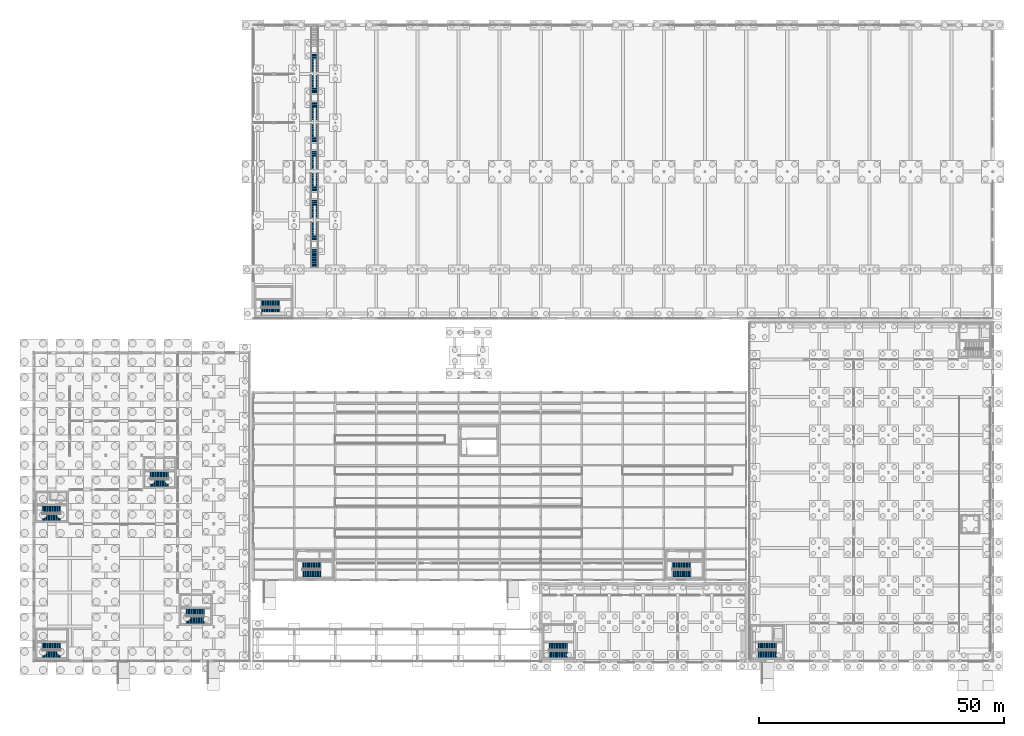
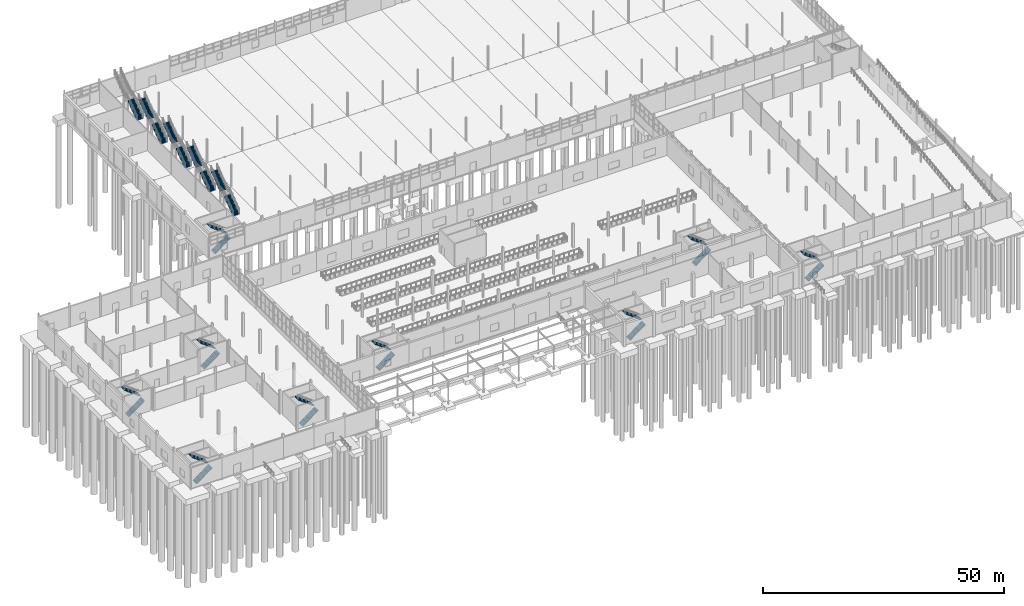
# One storey, part 132 of 139: 27 stair flights, 14 elements without a shape of their own.
"""IFC4 building model written with IfcOpenShell, lengths in metres."""

from ifc_helpers import new_model, si_unit, direction, frame, origin, place, context, subcontext, project, spatial, polyline, outline, extrude, material, layer, layer_set, type_object, element, aggregate, save


model = new_model("IFC4")

# Units and contexts
model_context = context("Model", 3, precision=1e-05, world=origin(), true_north=direction((0.0, 1.0)))
body_context = subcontext(model_context, "Body", "Model", "MODEL_VIEW")
ifc_project = project(units=[si_unit("LENGTHUNIT", "METRE"), si_unit("AREAUNIT", "SQUARE_METRE"), si_unit("VOLUMEUNIT", "CUBIC_METRE"), si_unit("PLANEANGLEUNIT", "RADIAN"), si_unit("MASSUNIT", "GRAM", prefix="KILO")], contexts=[model_context])

# Site, building, storey
site_placement = place(None, origin())
site = spatial("IfcSite", under=ifc_project, at=site_placement, CompositionType="ELEMENT")
building_placement = place(site_placement, origin())
building = spatial("IfcBuilding", under=site, at=building_placement, Name="Kazenagashi Tramway Depot", CompositionType="ELEMENT")
storey_placement = place(building_placement, origin())
storey = spatial("IfcBuildingStorey", under=building, at=storey_placement, Name="L01", CompositionType="ELEMENT", Elevation=0.0)

# Stair, stair flights
ifc_material = material(Name="Concrete Fc36", Category="concrete")
stair_type_1 = type_object("IfcStairType", Name="ST-T2", PredefinedType="USERDEFINED", material=ifc_material)
stair_1_placement = place(storey_placement, origin())
stair_1 = element("IfcStair", 1, at=stair_1_placement, inside=storey, type_object=stair_type_1, Name="Enclosed Escape Stair ST-01", ObjectType="TWO_RETURN_STAIR", PredefinedType="USERDEFINED")
ifc_layer_1 = layer(ifc_material, 0.18)
ifc_layer_set_1 = layer_set([ifc_layer_1], Name="Concrete Fc36")
stair_flight_type_1 = type_object("IfcStairFlightType", Name="SF-F01", PredefinedType="STRAIGHT", material=ifc_layer_set_1)
stair_flight_1_placement = place(storey_placement, frame((1.72, 29.345, 0.0), z_axis=(0.0, 0.0, 1.0), x_axis=(1.0, 0.0, 0.0)))
stair_flight_1 = element("IfcStairFlight", 2, at=stair_flight_1_placement, type_object=stair_flight_type_1, Name="ST-01 flight 1", NumberOfRisers=16, NumberOfTreads=15, PredefinedType="STRAIGHT", RiserHeight=0.1875, TreadLength=0.252, context=body_context, shape_type="SweptSolid", body=[
    extrude(outline(polyline([(0.0, 0.0), (0.0, 0.1875), (0.252, 0.1875), (0.252, 0.375), (0.504, 0.375), (0.504, 0.5625), (0.756, 0.5625), (0.756, 0.75), (1.008, 0.75), (1.008, 0.9375), (1.26, 0.9375), (1.26, 1.125), (1.512, 1.125), (1.512, 1.3125), (1.764, 1.3125), (1.764, 1.5), (2.016, 1.5), (2.016, 1.6875), (2.268, 1.6875), (2.268, 1.875), (2.52, 1.875), (2.52, 2.0625), (2.772, 2.0625), (2.772, 2.25), (3.024, 2.25), (3.024, 2.4375), (3.276, 2.4375), (3.276, 2.625), (3.528, 2.625), (3.528, 2.8125), (3.78, 2.8125), (3.78, 3.0), (3.78, 2.625534), (0.251282, 0.0), (0.0, 0.0)])), frame((0.0, 0.725, 0.0), z_axis=(0.0, -1.0, 0.0), x_axis=(1.0, 0.0, 0.0)), (0.0, 0.0, 1.0), 1.45),
])
stair_flight_2_placement = place(storey_placement, frame((5.46, 30.955, 3.0), z_axis=(0.0, 0.0, 1.0), x_axis=(-1.0, 0.0, 0.0)))
stair_flight_2 = element("IfcStairFlight", 3, at=stair_flight_2_placement, type_object=stair_flight_type_1, Name="ST-01 flight 2", NumberOfRisers=16, NumberOfTreads=15, PredefinedType="STRAIGHT", RiserHeight=0.1875, TreadLength=0.252, context=body_context, shape_type="SweptSolid", body=[
    extrude(outline(polyline([(0.0, 0.0), (0.0, 0.1875), (0.252, 0.1875), (0.252, 0.375), (0.504, 0.375), (0.504, 0.5625), (0.756, 0.5625), (0.756, 0.75), (1.008, 0.75), (1.008, 0.9375), (1.26, 0.9375), (1.26, 1.125), (1.512, 1.125), (1.512, 1.3125), (1.764, 1.3125), (1.764, 1.5), (2.016, 1.5), (2.016, 1.6875), (2.268, 1.6875), (2.268, 1.875), (2.52, 1.875), (2.52, 2.0625), (2.772, 2.0625), (2.772, 2.25), (3.024, 2.25), (3.024, 2.4375), (3.276, 2.4375), (3.276, 2.625), (3.528, 2.625), (3.528, 2.8125), (3.78, 2.8125), (3.78, 3.0), (3.78, 2.625534), (0.251282, 0.0), (0.0, 0.0)])), frame((0.0, 0.725, 0.0), z_axis=(0.0, -1.0, 0.0), x_axis=(1.0, 0.0, 0.0)), (0.0, 0.0, 1.0), 1.45),
])
aggregate(stair_1, [stair_flight_1, stair_flight_2])

stair_2_placement = place(storey_placement, origin())
stair_2 = element("IfcStair", 4, at=stair_2_placement, inside=storey, type_object=stair_type_1, Name="Enclosed Escape Stair ST-09", ObjectType="TWO_RETURN_STAIR", PredefinedType="USERDEFINED")
stair_flight_3_placement = place(storey_placement, frame((31.12, 8.345, 0.0), z_axis=(0.0, 0.0, 1.0), x_axis=(1.0, 0.0, 0.0)))
stair_flight_3 = element("IfcStairFlight", 5, at=stair_flight_3_placement, type_object=stair_flight_type_1, Name="ST-09 flight 1", NumberOfRisers=16, NumberOfTreads=15, PredefinedType="STRAIGHT", RiserHeight=0.1875, TreadLength=0.252, context=body_context, shape_type="SweptSolid", body=[
    extrude(outline(polyline([(0.0, 0.0), (0.0, 0.1875), (0.252, 0.1875), (0.252, 0.375), (0.504, 0.375), (0.504, 0.5625), (0.756, 0.5625), (0.756, 0.75), (1.008, 0.75), (1.008, 0.9375), (1.26, 0.9375), (1.26, 1.125), (1.512, 1.125), (1.512, 1.3125), (1.764, 1.3125), (1.764, 1.5), (2.016, 1.5), (2.016, 1.6875), (2.268, 1.6875), (2.268, 1.875), (2.52, 1.875), (2.52, 2.0625), (2.772, 2.0625), (2.772, 2.25), (3.024, 2.25), (3.024, 2.4375), (3.276, 2.4375), (3.276, 2.625), (3.528, 2.625), (3.528, 2.8125), (3.78, 2.8125), (3.78, 3.0), (3.78, 2.625534), (0.251282, 0.0), (0.0, 0.0)])), frame((0.0, 0.725, 0.0), z_axis=(0.0, -1.0, 0.0), x_axis=(1.0, 0.0, 0.0)), (0.0, 0.0, 1.0), 1.45),
])
stair_flight_4_placement = place(storey_placement, frame((34.86, 9.955, 3.0), z_axis=(0.0, 0.0, 1.0), x_axis=(-1.0, 0.0, 0.0)))
stair_flight_4 = element("IfcStairFlight", 6, at=stair_flight_4_placement, type_object=stair_flight_type_1, Name="ST-09 flight 2", NumberOfRisers=16, NumberOfTreads=15, PredefinedType="STRAIGHT", RiserHeight=0.1875, TreadLength=0.252, context=body_context, shape_type="SweptSolid", body=[
    extrude(outline(polyline([(0.0, 0.0), (0.0, 0.1875), (0.252, 0.1875), (0.252, 0.375), (0.504, 0.375), (0.504, 0.5625), (0.756, 0.5625), (0.756, 0.75), (1.008, 0.75), (1.008, 0.9375), (1.26, 0.9375), (1.26, 1.125), (1.512, 1.125), (1.512, 1.3125), (1.764, 1.3125), (1.764, 1.5), (2.016, 1.5), (2.016, 1.6875), (2.268, 1.6875), (2.268, 1.875), (2.52, 1.875), (2.52, 2.0625), (2.772, 2.0625), (2.772, 2.25), (3.024, 2.25), (3.024, 2.4375), (3.276, 2.4375), (3.276, 2.625), (3.528, 2.625), (3.528, 2.8125), (3.78, 2.8125), (3.78, 3.0), (3.78, 2.625534), (0.251282, 0.0), (0.0, 0.0)])), frame((0.0, 0.725, 0.0), z_axis=(0.0, -1.0, 0.0), x_axis=(1.0, 0.0, 0.0)), (0.0, 0.0, 1.0), 1.45),
])
aggregate(stair_2, [stair_flight_3, stair_flight_4])

stair_3_placement = place(storey_placement, origin())
stair_3 = element("IfcStair", 7, at=stair_3_placement, inside=storey, type_object=stair_type_1, Name="Enclosed Escape Stair ST-17", ObjectType="TWO_RETURN_STAIR", PredefinedType="USERDEFINED")
stair_flight_5_placement = place(storey_placement, frame((54.92, 17.845, 0.0), z_axis=(0.0, 0.0, 1.0), x_axis=(1.0, 0.0, 0.0)))
stair_flight_5 = element("IfcStairFlight", 8, at=stair_flight_5_placement, type_object=stair_flight_type_1, Name="ST-17 flight 1", NumberOfRisers=16, NumberOfTreads=15, PredefinedType="STRAIGHT", RiserHeight=0.1875, TreadLength=0.252, context=body_context, shape_type="SweptSolid", body=[
    extrude(outline(polyline([(0.0, 0.0), (0.0, 0.1875), (0.252, 0.1875), (0.252, 0.375), (0.504, 0.375), (0.504, 0.5625), (0.756, 0.5625), (0.756, 0.75), (1.008, 0.75), (1.008, 0.9375), (1.26, 0.9375), (1.26, 1.125), (1.512, 1.125), (1.512, 1.3125), (1.764, 1.3125), (1.764, 1.5), (2.016, 1.5), (2.016, 1.6875), (2.268, 1.6875), (2.268, 1.875), (2.52, 1.875), (2.52, 2.0625), (2.772, 2.0625), (2.772, 2.25), (3.024, 2.25), (3.024, 2.4375), (3.276, 2.4375), (3.276, 2.625), (3.528, 2.625), (3.528, 2.8125), (3.78, 2.8125), (3.78, 3.0), (3.78, 2.625534), (0.251282, 0.0), (0.0, 0.0)])), frame((0.0, 0.725, 0.0), z_axis=(0.0, -1.0, 0.0), x_axis=(1.0, 0.0, 0.0)), (0.0, 0.0, 1.0), 1.45),
])
stair_flight_6_placement = place(storey_placement, frame((58.66, 19.455, 3.0), z_axis=(0.0, 0.0, 1.0), x_axis=(-1.0, 0.0, 0.0)))
stair_flight_6 = element("IfcStairFlight", 9, at=stair_flight_6_placement, type_object=stair_flight_type_1, Name="ST-17 flight 2", NumberOfRisers=16, NumberOfTreads=15, PredefinedType="STRAIGHT", RiserHeight=0.1875, TreadLength=0.252, context=body_context, shape_type="SweptSolid", body=[
    extrude(outline(polyline([(0.0, 0.0), (0.0, 0.1875), (0.252, 0.1875), (0.252, 0.375), (0.504, 0.375), (0.504, 0.5625), (0.756, 0.5625), (0.756, 0.75), (1.008, 0.75), (1.008, 0.9375), (1.26, 0.9375), (1.26, 1.125), (1.512, 1.125), (1.512, 1.3125), (1.764, 1.3125), (1.764, 1.5), (2.016, 1.5), (2.016, 1.6875), (2.268, 1.6875), (2.268, 1.875), (2.52, 1.875), (2.52, 2.0625), (2.772, 2.0625), (2.772, 2.25), (3.024, 2.25), (3.024, 2.4375), (3.276, 2.4375), (3.276, 2.625), (3.528, 2.625), (3.528, 2.8125), (3.78, 2.8125), (3.78, 3.0), (3.78, 2.625534), (0.251282, 0.0), (0.0, 0.0)])), frame((0.0, 0.725, 0.0), z_axis=(0.0, -1.0, 0.0), x_axis=(1.0, 0.0, 0.0)), (0.0, 0.0, 1.0), 1.45),
])
aggregate(stair_3, [stair_flight_5, stair_flight_6])

stair_4_placement = place(storey_placement, origin())
stair_4 = element("IfcStair", 10, at=stair_4_placement, inside=storey, type_object=stair_type_1, Name="Enclosed Escape Stair ST-28", ObjectType="TWO_RETURN_STAIR", PredefinedType="USERDEFINED")
stair_flight_7_placement = place(storey_placement, frame((105.32, 1.345, 0.0), z_axis=(0.0, 0.0, 1.0), x_axis=(1.0, 0.0, 0.0)))
stair_flight_7 = element("IfcStairFlight", 11, at=stair_flight_7_placement, type_object=stair_flight_type_1, Name="ST-28 flight 1", NumberOfRisers=16, NumberOfTreads=15, PredefinedType="STRAIGHT", RiserHeight=0.1875, TreadLength=0.252, context=body_context, shape_type="SweptSolid", body=[
    extrude(outline(polyline([(0.0, 0.0), (0.0, 0.1875), (0.252, 0.1875), (0.252, 0.375), (0.504, 0.375), (0.504, 0.5625), (0.756, 0.5625), (0.756, 0.75), (1.008, 0.75), (1.008, 0.9375), (1.26, 0.9375), (1.26, 1.125), (1.512, 1.125), (1.512, 1.3125), (1.764, 1.3125), (1.764, 1.5), (2.016, 1.5), (2.016, 1.6875), (2.268, 1.6875), (2.268, 1.875), (2.52, 1.875), (2.52, 2.0625), (2.772, 2.0625), (2.772, 2.25), (3.024, 2.25), (3.024, 2.4375), (3.276, 2.4375), (3.276, 2.625), (3.528, 2.625), (3.528, 2.8125), (3.78, 2.8125), (3.78, 3.0), (3.78, 2.625534), (0.251282, 0.0), (0.0, 0.0)])), frame((0.0, 0.725, 0.0), z_axis=(0.0, -1.0, 0.0), x_axis=(1.0, 0.0, 0.0)), (0.0, 0.0, 1.0), 1.45),
])
stair_flight_8_placement = place(storey_placement, frame((109.06, 2.955, 3.0), z_axis=(0.0, 0.0, 1.0), x_axis=(-1.0, 0.0, 0.0)))
stair_flight_8 = element("IfcStairFlight", 12, at=stair_flight_8_placement, type_object=stair_flight_type_1, Name="ST-28 flight 2", NumberOfRisers=16, NumberOfTreads=15, PredefinedType="STRAIGHT", RiserHeight=0.1875, TreadLength=0.252, context=body_context, shape_type="SweptSolid", body=[
    extrude(outline(polyline([(0.0, 0.0), (0.0, 0.1875), (0.252, 0.1875), (0.252, 0.375), (0.504, 0.375), (0.504, 0.5625), (0.756, 0.5625), (0.756, 0.75), (1.008, 0.75), (1.008, 0.9375), (1.26, 0.9375), (1.26, 1.125), (1.512, 1.125), (1.512, 1.3125), (1.764, 1.3125), (1.764, 1.5), (2.016, 1.5), (2.016, 1.6875), (2.268, 1.6875), (2.268, 1.875), (2.52, 1.875), (2.52, 2.0625), (2.772, 2.0625), (2.772, 2.25), (3.024, 2.25), (3.024, 2.4375), (3.276, 2.4375), (3.276, 2.625), (3.528, 2.625), (3.528, 2.8125), (3.78, 2.8125), (3.78, 3.0), (3.78, 2.625534), (0.251282, 0.0), (0.0, 0.0)])), frame((0.0, 0.725, 0.0), z_axis=(0.0, -1.0, 0.0), x_axis=(1.0, 0.0, 0.0)), (0.0, 0.0, 1.0), 1.45),
])
aggregate(stair_4, [stair_flight_7, stair_flight_8])

stair_type_2 = type_object("IfcStairType", Name="ST-T5", PredefinedType="USERDEFINED", material=ifc_material)
stair_5_placement = place(storey_placement, origin())
stair_5 = element("IfcStair", 13, at=stair_5_placement, inside=storey, type_object=stair_type_2, Name="Enclosed Escape Stair ST-05", ObjectType="TWO_RETURN_STAIR", PredefinedType="USERDEFINED")
ifc_layer_2 = layer(ifc_material, 0.18)
ifc_layer_set_2 = layer_set([ifc_layer_2], Name="Concrete Fc36")
stair_flight_type_2 = type_object("IfcStairFlightType", Name="SF-F02", PredefinedType="STRAIGHT", material=ifc_layer_set_2)
stair_flight_9_placement = place(storey_placement, frame((23.77, 36.37, 0.0), z_axis=(0.0, 0.0, 1.0), x_axis=(1.0, 0.0, 0.0)))
stair_flight_9 = element("IfcStairFlight", 14, at=stair_flight_9_placement, type_object=stair_flight_type_2, Name="ST-05 flight 1", NumberOfRisers=16, NumberOfTreads=15, PredefinedType="STRAIGHT", RiserHeight=0.1875, TreadLength=0.252, context=body_context, shape_type="SweptSolid", body=[
    extrude(outline(polyline([(0.0, 0.0), (0.0, 0.1875), (0.252, 0.1875), (0.252, 0.375), (0.504, 0.375), (0.504, 0.5625), (0.756, 0.5625), (0.756, 0.75), (1.008, 0.75), (1.008, 0.9375), (1.26, 0.9375), (1.26, 1.125), (1.512, 1.125), (1.512, 1.3125), (1.764, 1.3125), (1.764, 1.5), (2.016, 1.5), (2.016, 1.6875), (2.268, 1.6875), (2.268, 1.875), (2.52, 1.875), (2.52, 2.0625), (2.772, 2.0625), (2.772, 2.25), (3.024, 2.25), (3.024, 2.4375), (3.276, 2.4375), (3.276, 2.625), (3.528, 2.625), (3.528, 2.8125), (3.78, 2.8125), (3.78, 3.0), (3.78, 2.625534), (0.251282, 0.0), (0.0, 0.0)])), frame((0.0, 0.75, 0.0), z_axis=(0.0, -1.0, 0.0), x_axis=(1.0, 0.0, 0.0)), (0.0, 0.0, 1.0), 1.5),
])
stair_flight_10_placement = place(storey_placement, frame((27.51, 38.03, 3.0), z_axis=(0.0, 0.0, 1.0), x_axis=(-1.0, 0.0, 0.0)))
stair_flight_10 = element("IfcStairFlight", 15, at=stair_flight_10_placement, type_object=stair_flight_type_2, Name="ST-05 flight 2", NumberOfRisers=16, NumberOfTreads=15, PredefinedType="STRAIGHT", RiserHeight=0.1875, TreadLength=0.252, context=body_context, shape_type="SweptSolid", body=[
    extrude(outline(polyline([(0.0, 0.0), (0.0, 0.1875), (0.252, 0.1875), (0.252, 0.375), (0.504, 0.375), (0.504, 0.5625), (0.756, 0.5625), (0.756, 0.75), (1.008, 0.75), (1.008, 0.9375), (1.26, 0.9375), (1.26, 1.125), (1.512, 1.125), (1.512, 1.3125), (1.764, 1.3125), (1.764, 1.5), (2.016, 1.5), (2.016, 1.6875), (2.268, 1.6875), (2.268, 1.875), (2.52, 1.875), (2.52, 2.0625), (2.772, 2.0625), (2.772, 2.25), (3.024, 2.25), (3.024, 2.4375), (3.276, 2.4375), (3.276, 2.625), (3.528, 2.625), (3.528, 2.8125), (3.78, 2.8125), (3.78, 3.0), (3.78, 2.625534), (0.251282, 0.0), (0.0, 0.0)])), frame((0.0, 0.75, 0.0), z_axis=(0.0, -1.0, 0.0), x_axis=(1.0, 0.0, 0.0)), (0.0, 0.0, 1.0), 1.5),
])
aggregate(stair_5, [stair_flight_9, stair_flight_10])

stair_6_placement = place(storey_placement, origin())
stair_6 = element("IfcStair", 16, at=stair_6_placement, inside=storey, type_object=stair_type_2, Name="Enclosed Escape Stair ST-12", ObjectType="TWO_RETURN_STAIR", PredefinedType="USERDEFINED")
stair_flight_11_placement = place(storey_placement, frame((1.72, 1.37, 0.0), z_axis=(0.0, 0.0, 1.0), x_axis=(1.0, 0.0, 0.0)))
stair_flight_11 = element("IfcStairFlight", 17, at=stair_flight_11_placement, type_object=stair_flight_type_2, Name="ST-12 flight 1", NumberOfRisers=16, NumberOfTreads=15, PredefinedType="STRAIGHT", RiserHeight=0.1875, TreadLength=0.252, context=body_context, shape_type="SweptSolid", body=[
    extrude(outline(polyline([(0.0, 0.0), (0.0, 0.1875), (0.252, 0.1875), (0.252, 0.375), (0.504, 0.375), (0.504, 0.5625), (0.756, 0.5625), (0.756, 0.75), (1.008, 0.75), (1.008, 0.9375), (1.26, 0.9375), (1.26, 1.125), (1.512, 1.125), (1.512, 1.3125), (1.764, 1.3125), (1.764, 1.5), (2.016, 1.5), (2.016, 1.6875), (2.268, 1.6875), (2.268, 1.875), (2.52, 1.875), (2.52, 2.0625), (2.772, 2.0625), (2.772, 2.25), (3.024, 2.25), (3.024, 2.4375), (3.276, 2.4375), (3.276, 2.625), (3.528, 2.625), (3.528, 2.8125), (3.78, 2.8125), (3.78, 3.0), (3.78, 2.625534), (0.251282, 0.0), (0.0, 0.0)])), frame((0.0, 0.75, 0.0), z_axis=(0.0, -1.0, 0.0), x_axis=(1.0, 0.0, 0.0)), (0.0, 0.0, 1.0), 1.5),
])
stair_flight_12_placement = place(storey_placement, frame((5.46, 3.03, 3.0), z_axis=(0.0, 0.0, 1.0), x_axis=(-1.0, 0.0, 0.0)))
stair_flight_12 = element("IfcStairFlight", 18, at=stair_flight_12_placement, type_object=stair_flight_type_2, Name="ST-12 flight 2", NumberOfRisers=16, NumberOfTreads=15, PredefinedType="STRAIGHT", RiserHeight=0.1875, TreadLength=0.252, context=body_context, shape_type="SweptSolid", body=[
    extrude(outline(polyline([(0.0, 0.0), (0.0, 0.1875), (0.252, 0.1875), (0.252, 0.375), (0.504, 0.375), (0.504, 0.5625), (0.756, 0.5625), (0.756, 0.75), (1.008, 0.75), (1.008, 0.9375), (1.26, 0.9375), (1.26, 1.125), (1.512, 1.125), (1.512, 1.3125), (1.764, 1.3125), (1.764, 1.5), (2.016, 1.5), (2.016, 1.6875), (2.268, 1.6875), (2.268, 1.875), (2.52, 1.875), (2.52, 2.0625), (2.772, 2.0625), (2.772, 2.25), (3.024, 2.25), (3.024, 2.4375), (3.276, 2.4375), (3.276, 2.625), (3.528, 2.625), (3.528, 2.8125), (3.78, 2.8125), (3.78, 3.0), (3.78, 2.625534), (0.251282, 0.0), (0.0, 0.0)])), frame((0.0, 0.75, 0.0), z_axis=(0.0, -1.0, 0.0), x_axis=(1.0, 0.0, 0.0)), (0.0, 0.0, 1.0), 1.5),
])
aggregate(stair_6, [stair_flight_11, stair_flight_12])

stair_7_placement = place(storey_placement, origin())
stair_7 = element("IfcStair", 19, at=stair_7_placement, inside=storey, type_object=stair_type_2, Name="Enclosed Escape Stair ST-20", ObjectType="TWO_RETURN_STAIR", PredefinedType="USERDEFINED")
stair_flight_13_placement = place(storey_placement, frame((130.52, 17.87, 0.0), z_axis=(0.0, 0.0, 1.0), x_axis=(1.0, 0.0, 0.0)))
stair_flight_13 = element("IfcStairFlight", 20, at=stair_flight_13_placement, type_object=stair_flight_type_2, Name="ST-20 flight 1", NumberOfRisers=16, NumberOfTreads=15, PredefinedType="STRAIGHT", RiserHeight=0.1875, TreadLength=0.252, context=body_context, shape_type="SweptSolid", body=[
    extrude(outline(polyline([(0.0, 0.0), (0.0, 0.1875), (0.252, 0.1875), (0.252, 0.375), (0.504, 0.375), (0.504, 0.5625), (0.756, 0.5625), (0.756, 0.75), (1.008, 0.75), (1.008, 0.9375), (1.26, 0.9375), (1.26, 1.125), (1.512, 1.125), (1.512, 1.3125), (1.764, 1.3125), (1.764, 1.5), (2.016, 1.5), (2.016, 1.6875), (2.268, 1.6875), (2.268, 1.875), (2.52, 1.875), (2.52, 2.0625), (2.772, 2.0625), (2.772, 2.25), (3.024, 2.25), (3.024, 2.4375), (3.276, 2.4375), (3.276, 2.625), (3.528, 2.625), (3.528, 2.8125), (3.78, 2.8125), (3.78, 3.0), (3.78, 2.625534), (0.251282, 0.0), (0.0, 0.0)])), frame((0.0, 0.75, 0.0), z_axis=(0.0, -1.0, 0.0), x_axis=(1.0, 0.0, 0.0)), (0.0, 0.0, 1.0), 1.5),
])
stair_flight_14_placement = place(storey_placement, frame((134.26, 19.53, 3.0), z_axis=(0.0, 0.0, 1.0), x_axis=(-1.0, 0.0, 0.0)))
stair_flight_14 = element("IfcStairFlight", 21, at=stair_flight_14_placement, type_object=stair_flight_type_2, Name="ST-20 flight 2", NumberOfRisers=16, NumberOfTreads=15, PredefinedType="STRAIGHT", RiserHeight=0.1875, TreadLength=0.252, context=body_context, shape_type="SweptSolid", body=[
    extrude(outline(polyline([(0.0, 0.0), (0.0, 0.1875), (0.252, 0.1875), (0.252, 0.375), (0.504, 0.375), (0.504, 0.5625), (0.756, 0.5625), (0.756, 0.75), (1.008, 0.75), (1.008, 0.9375), (1.26, 0.9375), (1.26, 1.125), (1.512, 1.125), (1.512, 1.3125), (1.764, 1.3125), (1.764, 1.5), (2.016, 1.5), (2.016, 1.6875), (2.268, 1.6875), (2.268, 1.875), (2.52, 1.875), (2.52, 2.0625), (2.772, 2.0625), (2.772, 2.25), (3.024, 2.25), (3.024, 2.4375), (3.276, 2.4375), (3.276, 2.625), (3.528, 2.625), (3.528, 2.8125), (3.78, 2.8125), (3.78, 3.0), (3.78, 2.625534), (0.251282, 0.0), (0.0, 0.0)])), frame((0.0, 0.75, 0.0), z_axis=(0.0, -1.0, 0.0), x_axis=(1.0, 0.0, 0.0)), (0.0, 0.0, 1.0), 1.5),
])
aggregate(stair_7, [stair_flight_13, stair_flight_14])

stair_8_placement = place(storey_placement, origin())
stair_8 = element("IfcStair", 22, at=stair_8_placement, inside=storey, type_object=stair_type_2, Name="Enclosed Escape Stair ST-23", ObjectType="TWO_RETURN_STAIR", PredefinedType="USERDEFINED")
stair_flight_15_placement = place(storey_placement, frame((148.02, 1.37, 0.0), z_axis=(0.0, 0.0, 1.0), x_axis=(1.0, 0.0, 0.0)))
stair_flight_15 = element("IfcStairFlight", 23, at=stair_flight_15_placement, type_object=stair_flight_type_2, Name="ST-23 flight 1", NumberOfRisers=16, NumberOfTreads=15, PredefinedType="STRAIGHT", RiserHeight=0.1875, TreadLength=0.252, context=body_context, shape_type="SweptSolid", body=[
    extrude(outline(polyline([(0.0, 0.0), (0.0, 0.1875), (0.252, 0.1875), (0.252, 0.375), (0.504, 0.375), (0.504, 0.5625), (0.756, 0.5625), (0.756, 0.75), (1.008, 0.75), (1.008, 0.9375), (1.26, 0.9375), (1.26, 1.125), (1.512, 1.125), (1.512, 1.3125), (1.764, 1.3125), (1.764, 1.5), (2.016, 1.5), (2.016, 1.6875), (2.268, 1.6875), (2.268, 1.875), (2.52, 1.875), (2.52, 2.0625), (2.772, 2.0625), (2.772, 2.25), (3.024, 2.25), (3.024, 2.4375), (3.276, 2.4375), (3.276, 2.625), (3.528, 2.625), (3.528, 2.8125), (3.78, 2.8125), (3.78, 3.0), (3.78, 2.625534), (0.251282, 0.0), (0.0, 0.0)])), frame((0.0, 0.75, 0.0), z_axis=(0.0, -1.0, 0.0), x_axis=(1.0, 0.0, 0.0)), (0.0, 0.0, 1.0), 1.5),
])
stair_flight_16_placement = place(storey_placement, frame((151.76, 3.03, 3.0), z_axis=(0.0, 0.0, 1.0), x_axis=(-1.0, 0.0, 0.0)))
stair_flight_16 = element("IfcStairFlight", 24, at=stair_flight_16_placement, type_object=stair_flight_type_2, Name="ST-23 flight 2", NumberOfRisers=16, NumberOfTreads=15, PredefinedType="STRAIGHT", RiserHeight=0.1875, TreadLength=0.252, context=body_context, shape_type="SweptSolid", body=[
    extrude(outline(polyline([(0.0, 0.0), (0.0, 0.1875), (0.252, 0.1875), (0.252, 0.375), (0.504, 0.375), (0.504, 0.5625), (0.756, 0.5625), (0.756, 0.75), (1.008, 0.75), (1.008, 0.9375), (1.26, 0.9375), (1.26, 1.125), (1.512, 1.125), (1.512, 1.3125), (1.764, 1.3125), (1.764, 1.5), (2.016, 1.5), (2.016, 1.6875), (2.268, 1.6875), (2.268, 1.875), (2.52, 1.875), (2.52, 2.0625), (2.772, 2.0625), (2.772, 2.25), (3.024, 2.25), (3.024, 2.4375), (3.276, 2.4375), (3.276, 2.625), (3.528, 2.625), (3.528, 2.8125), (3.78, 2.8125), (3.78, 3.0), (3.78, 2.625534), (0.251282, 0.0), (0.0, 0.0)])), frame((0.0, 0.75, 0.0), z_axis=(0.0, -1.0, 0.0), x_axis=(1.0, 0.0, 0.0)), (0.0, 0.0, 1.0), 1.5),
])
aggregate(stair_8, [stair_flight_15, stair_flight_16])

stair_9_placement = place(storey_placement, origin())
stair_9 = element("IfcStair", 25, at=stair_9_placement, inside=storey, type_object=stair_type_2, Name="Enclosed Escape Stair ST-27", ObjectType="TWO_RETURN_STAIR", PredefinedType="USERDEFINED")
stair_flight_17_placement = place(storey_placement, frame((46.52, 71.37, 0.0), z_axis=(0.0, 0.0, 1.0), x_axis=(1.0, 0.0, 0.0)))
stair_flight_17 = element("IfcStairFlight", 26, at=stair_flight_17_placement, type_object=stair_flight_type_2, Name="ST-27 flight 1", NumberOfRisers=16, NumberOfTreads=15, PredefinedType="STRAIGHT", RiserHeight=0.1875, TreadLength=0.252, context=body_context, shape_type="SweptSolid", body=[
    extrude(outline(polyline([(0.0, 0.0), (0.0, 0.1875), (0.252, 0.1875), (0.252, 0.375), (0.504, 0.375), (0.504, 0.5625), (0.756, 0.5625), (0.756, 0.75), (1.008, 0.75), (1.008, 0.9375), (1.26, 0.9375), (1.26, 1.125), (1.512, 1.125), (1.512, 1.3125), (1.764, 1.3125), (1.764, 1.5), (2.016, 1.5), (2.016, 1.6875), (2.268, 1.6875), (2.268, 1.875), (2.52, 1.875), (2.52, 2.0625), (2.772, 2.0625), (2.772, 2.25), (3.024, 2.25), (3.024, 2.4375), (3.276, 2.4375), (3.276, 2.625), (3.528, 2.625), (3.528, 2.8125), (3.78, 2.8125), (3.78, 3.0), (3.78, 2.625534), (0.251282, 0.0), (0.0, 0.0)])), frame((0.0, 0.75, 0.0), z_axis=(0.0, -1.0, 0.0), x_axis=(1.0, 0.0, 0.0)), (0.0, 0.0, 1.0), 1.5),
])
stair_flight_18_placement = place(storey_placement, frame((50.26, 73.03, 3.0), z_axis=(0.0, 0.0, 1.0), x_axis=(-1.0, 0.0, 0.0)))
stair_flight_18 = element("IfcStairFlight", 27, at=stair_flight_18_placement, type_object=stair_flight_type_2, Name="ST-27 flight 2", NumberOfRisers=16, NumberOfTreads=15, PredefinedType="STRAIGHT", RiserHeight=0.1875, TreadLength=0.252, context=body_context, shape_type="SweptSolid", body=[
    extrude(outline(polyline([(0.0, 0.0), (0.0, 0.1875), (0.252, 0.1875), (0.252, 0.375), (0.504, 0.375), (0.504, 0.5625), (0.756, 0.5625), (0.756, 0.75), (1.008, 0.75), (1.008, 0.9375), (1.26, 0.9375), (1.26, 1.125), (1.512, 1.125), (1.512, 1.3125), (1.764, 1.3125), (1.764, 1.5), (2.016, 1.5), (2.016, 1.6875), (2.268, 1.6875), (2.268, 1.875), (2.52, 1.875), (2.52, 2.0625), (2.772, 2.0625), (2.772, 2.25), (3.024, 2.25), (3.024, 2.4375), (3.276, 2.4375), (3.276, 2.625), (3.528, 2.625), (3.528, 2.8125), (3.78, 2.8125), (3.78, 3.0), (3.78, 2.625534), (0.251282, 0.0), (0.0, 0.0)])), frame((0.0, 0.75, 0.0), z_axis=(0.0, -1.0, 0.0), x_axis=(1.0, 0.0, 0.0)), (0.0, 0.0, 1.0), 1.5),
])
aggregate(stair_9, [stair_flight_17, stair_flight_18])

stair_type_3 = type_object("IfcStairType", Name="ST-S1", PredefinedType="STRAIGHT_RUN_STAIR", material=ifc_material)
stair_10_placement = place(storey_placement, origin())
stair_10 = element("IfcStair", 28, at=stair_10_placement, inside=storey, type_object=stair_type_3, Name="Straight Run Stair ST-29", PredefinedType="STRAIGHT_RUN_STAIR")
stair_flight_19_placement = place(storey_placement, frame((57.4, 80.55, 0.0), z_axis=(0.0, 0.0, 1.0), x_axis=(0.0, 1.0, 0.0)))
stair_flight_19 = element("IfcStairFlight", 29, at=stair_flight_19_placement, type_object=stair_flight_type_2, Name="ST-29 flight 1", NumberOfRisers=16, NumberOfTreads=15, PredefinedType="STRAIGHT", RiserHeight=0.1875, TreadLength=0.252, context=body_context, shape_type="SweptSolid", body=[
    extrude(outline(polyline([(0.0, 0.0), (0.0, 0.1875), (0.252, 0.1875), (0.252, 0.375), (0.504, 0.375), (0.504, 0.5625), (0.756, 0.5625), (0.756, 0.75), (1.008, 0.75), (1.008, 0.9375), (1.26, 0.9375), (1.26, 1.125), (1.512, 1.125), (1.512, 1.3125), (1.764, 1.3125), (1.764, 1.5), (2.016, 1.5), (2.016, 1.6875), (2.268, 1.6875), (2.268, 1.875), (2.52, 1.875), (2.52, 2.0625), (2.772, 2.0625), (2.772, 2.25), (3.024, 2.25), (3.024, 2.4375), (3.276, 2.4375), (3.276, 2.625), (3.528, 2.625), (3.528, 2.8125), (3.78, 2.8125), (3.78, 3.0), (3.78, 2.625534), (0.251282, 0.0), (0.0, 0.0)])), frame((0.0, 0.75, 0.0), z_axis=(0.0, -1.0, 0.0), x_axis=(1.0, 0.0, 0.0)), (0.0, 0.0, 1.0), 1.5),
])
stair_flight_20_placement = place(storey_placement, frame((57.4, 85.88, 3.0), z_axis=(0.0, 0.0, 1.0), x_axis=(0.0, 1.0, 0.0)))
stair_flight_20 = element("IfcStairFlight", 30, at=stair_flight_20_placement, type_object=stair_flight_type_2, Name="ST-29 flight 2", NumberOfRisers=16, NumberOfTreads=15, PredefinedType="STRAIGHT", RiserHeight=0.1875, TreadLength=0.252, context=body_context, shape_type="SweptSolid", body=[
    extrude(outline(polyline([(0.0, 0.0), (0.0, 0.1875), (0.252, 0.1875), (0.252, 0.375), (0.504, 0.375), (0.504, 0.5625), (0.756, 0.5625), (0.756, 0.75), (1.008, 0.75), (1.008, 0.9375), (1.26, 0.9375), (1.26, 1.125), (1.512, 1.125), (1.512, 1.3125), (1.764, 1.3125), (1.764, 1.5), (2.016, 1.5), (2.016, 1.6875), (2.268, 1.6875), (2.268, 1.875), (2.52, 1.875), (2.52, 2.0625), (2.772, 2.0625), (2.772, 2.25), (3.024, 2.25), (3.024, 2.4375), (3.276, 2.4375), (3.276, 2.625), (3.528, 2.625), (3.528, 2.8125), (3.78, 2.8125), (3.78, 3.0), (3.78, 2.625534), (0.251282, 0.0), (0.0, 0.0)])), frame((0.0, 0.75, 0.0), z_axis=(0.0, -1.0, 0.0), x_axis=(1.0, 0.0, 0.0)), (0.0, 0.0, 1.0), 1.5),
])
aggregate(stair_10, [stair_flight_19, stair_flight_20])

stair_11_placement = place(storey_placement, origin())
stair_11 = element("IfcStair", 31, at=stair_11_placement, inside=storey, type_object=stair_type_3, Name="Straight Run Stair ST-31", PredefinedType="STRAIGHT_RUN_STAIR")
stair_flight_21_placement = place(storey_placement, frame((57.4, 100.55, 0.0), z_axis=(0.0, 0.0, 1.0), x_axis=(0.0, 1.0, 0.0)))
stair_flight_21 = element("IfcStairFlight", 32, at=stair_flight_21_placement, type_object=stair_flight_type_2, Name="ST-31 flight 1", NumberOfRisers=16, NumberOfTreads=15, PredefinedType="STRAIGHT", RiserHeight=0.1875, TreadLength=0.252, context=body_context, shape_type="SweptSolid", body=[
    extrude(outline(polyline([(0.0, 0.0), (0.0, 0.1875), (0.252, 0.1875), (0.252, 0.375), (0.504, 0.375), (0.504, 0.5625), (0.756, 0.5625), (0.756, 0.75), (1.008, 0.75), (1.008, 0.9375), (1.26, 0.9375), (1.26, 1.125), (1.512, 1.125), (1.512, 1.3125), (1.764, 1.3125), (1.764, 1.5), (2.016, 1.5), (2.016, 1.6875), (2.268, 1.6875), (2.268, 1.875), (2.52, 1.875), (2.52, 2.0625), (2.772, 2.0625), (2.772, 2.25), (3.024, 2.25), (3.024, 2.4375), (3.276, 2.4375), (3.276, 2.625), (3.528, 2.625), (3.528, 2.8125), (3.78, 2.8125), (3.78, 3.0), (3.78, 2.625534), (0.251282, 0.0), (0.0, 0.0)])), frame((0.0, 0.75, 0.0), z_axis=(0.0, -1.0, 0.0), x_axis=(1.0, 0.0, 0.0)), (0.0, 0.0, 1.0), 1.5),
])
stair_flight_22_placement = place(storey_placement, frame((57.4, 105.88, 3.0), z_axis=(0.0, 0.0, 1.0), x_axis=(0.0, 1.0, 0.0)))
stair_flight_22 = element("IfcStairFlight", 33, at=stair_flight_22_placement, type_object=stair_flight_type_2, Name="ST-31 flight 2", NumberOfRisers=16, NumberOfTreads=15, PredefinedType="STRAIGHT", RiserHeight=0.1875, TreadLength=0.252, context=body_context, shape_type="SweptSolid", body=[
    extrude(outline(polyline([(0.0, 0.0), (0.0, 0.1875), (0.252, 0.1875), (0.252, 0.375), (0.504, 0.375), (0.504, 0.5625), (0.756, 0.5625), (0.756, 0.75), (1.008, 0.75), (1.008, 0.9375), (1.26, 0.9375), (1.26, 1.125), (1.512, 1.125), (1.512, 1.3125), (1.764, 1.3125), (1.764, 1.5), (2.016, 1.5), (2.016, 1.6875), (2.268, 1.6875), (2.268, 1.875), (2.52, 1.875), (2.52, 2.0625), (2.772, 2.0625), (2.772, 2.25), (3.024, 2.25), (3.024, 2.4375), (3.276, 2.4375), (3.276, 2.625), (3.528, 2.625), (3.528, 2.8125), (3.78, 2.8125), (3.78, 3.0), (3.78, 2.625534), (0.251282, 0.0), (0.0, 0.0)])), frame((0.0, 0.75, 0.0), z_axis=(0.0, -1.0, 0.0), x_axis=(1.0, 0.0, 0.0)), (0.0, 0.0, 1.0), 1.5),
])
aggregate(stair_11, [stair_flight_21, stair_flight_22])

# Stair, stair flight
stair_12_placement = place(storey_placement, origin())
stair_12 = element("IfcStair", 34, at=stair_12_placement, inside=storey, type_object=stair_type_3, Name="Straight Run Stair ST-33", PredefinedType="STRAIGHT_RUN_STAIR")
stair_flight_23_placement = place(storey_placement, frame((57.4, 120.45, 0.0), z_axis=(0.0, 0.0, 1.0), x_axis=(0.0, 1.0, 0.0)))
stair_flight_23 = element("IfcStairFlight", 35, at=stair_flight_23_placement, type_object=stair_flight_type_2, Name="ST-33 flight 1", NumberOfRisers=16, NumberOfTreads=15, PredefinedType="STRAIGHT", RiserHeight=0.1875, TreadLength=0.252, context=body_context, shape_type="SweptSolid", body=[
    extrude(outline(polyline([(0.0, 0.0), (0.0, 0.1875), (0.252, 0.1875), (0.252, 0.375), (0.504, 0.375), (0.504, 0.5625), (0.756, 0.5625), (0.756, 0.75), (1.008, 0.75), (1.008, 0.9375), (1.26, 0.9375), (1.26, 1.125), (1.512, 1.125), (1.512, 1.3125), (1.764, 1.3125), (1.764, 1.5), (2.016, 1.5), (2.016, 1.6875), (2.268, 1.6875), (2.268, 1.875), (2.52, 1.875), (2.52, 2.0625), (2.772, 2.0625), (2.772, 2.25), (3.024, 2.25), (3.024, 2.4375), (3.276, 2.4375), (3.276, 2.625), (3.528, 2.625), (3.528, 2.8125), (3.78, 2.8125), (3.78, 3.0), (3.78, 2.625534), (0.251282, 0.0), (0.0, 0.0)])), frame((0.0, 0.75, 0.0), z_axis=(0.0, -1.0, 0.0), x_axis=(1.0, 0.0, 0.0)), (0.0, 0.0, 1.0), 1.5),
])
aggregate(stair_12, [stair_flight_23])

# Stair, stair flights
stair_type_4 = type_object("IfcStairType", Name="ST-S2", PredefinedType="STRAIGHT_RUN_STAIR", material=ifc_material)
stair_13_placement = place(storey_placement, origin())
stair_13 = element("IfcStair", 36, at=stair_13_placement, inside=storey, type_object=stair_type_4, Name="Straight Run Stair ST-30", PredefinedType="STRAIGHT_RUN_STAIR")
ifc_layer_3 = layer(ifc_material, 0.18)
ifc_layer_set_3 = layer_set([ifc_layer_3], Name="Concrete Fc36")
stair_flight_type_3 = type_object("IfcStairFlightType", Name="SF-F03", PredefinedType="STRAIGHT", material=ifc_layer_set_3)
stair_flight_24_placement = place(storey_placement, frame((57.4, 90.55, 0.0), z_axis=(0.0, 0.0, 1.0), x_axis=(0.0, 1.0, 0.0)))
stair_flight_24 = element("IfcStairFlight", 37, at=stair_flight_24_placement, type_object=stair_flight_type_3, Name="ST-30 flight 1", NumberOfRisers=16, NumberOfTreads=15, PredefinedType="STRAIGHT", RiserHeight=0.1875, TreadLength=0.252, context=body_context, shape_type="SweptSolid", body=[
    extrude(outline(polyline([(0.0, 0.0), (0.0, 0.1875), (0.252, 0.1875), (0.252, 0.375), (0.504, 0.375), (0.504, 0.5625), (0.756, 0.5625), (0.756, 0.75), (1.008, 0.75), (1.008, 0.9375), (1.26, 0.9375), (1.26, 1.125), (1.512, 1.125), (1.512, 1.3125), (1.764, 1.3125), (1.764, 1.5), (2.016, 1.5), (2.016, 1.6875), (2.268, 1.6875), (2.268, 1.875), (2.52, 1.875), (2.52, 2.0625), (2.772, 2.0625), (2.772, 2.25), (3.024, 2.25), (3.024, 2.4375), (3.276, 2.4375), (3.276, 2.625), (3.528, 2.625), (3.528, 2.8125), (3.78, 2.8125), (3.78, 3.0), (3.78, 2.625534), (0.251282, 0.0), (0.0, 0.0)])), frame((0.0, 0.775, 0.0), z_axis=(0.0, -1.0, 0.0), x_axis=(1.0, 0.0, 0.0)), (0.0, 0.0, 1.0), 1.55),
])
stair_flight_25_placement = place(storey_placement, frame((57.4, 95.88, 3.0), z_axis=(0.0, 0.0, 1.0), x_axis=(0.0, 1.0, 0.0)))
stair_flight_25 = element("IfcStairFlight", 38, at=stair_flight_25_placement, type_object=stair_flight_type_3, Name="ST-30 flight 2", NumberOfRisers=16, NumberOfTreads=15, PredefinedType="STRAIGHT", RiserHeight=0.1875, TreadLength=0.252, context=body_context, shape_type="SweptSolid", body=[
    extrude(outline(polyline([(0.0, 0.0), (0.0, 0.1875), (0.252, 0.1875), (0.252, 0.375), (0.504, 0.375), (0.504, 0.5625), (0.756, 0.5625), (0.756, 0.75), (1.008, 0.75), (1.008, 0.9375), (1.26, 0.9375), (1.26, 1.125), (1.512, 1.125), (1.512, 1.3125), (1.764, 1.3125), (1.764, 1.5), (2.016, 1.5), (2.016, 1.6875), (2.268, 1.6875), (2.268, 1.875), (2.52, 1.875), (2.52, 2.0625), (2.772, 2.0625), (2.772, 2.25), (3.024, 2.25), (3.024, 2.4375), (3.276, 2.4375), (3.276, 2.625), (3.528, 2.625), (3.528, 2.8125), (3.78, 2.8125), (3.78, 3.0), (3.78, 2.625534), (0.251282, 0.0), (0.0, 0.0)])), frame((0.0, 0.775, 0.0), z_axis=(0.0, -1.0, 0.0), x_axis=(1.0, 0.0, 0.0)), (0.0, 0.0, 1.0), 1.55),
])
aggregate(stair_13, [stair_flight_24, stair_flight_25])

stair_14_placement = place(storey_placement, origin())
stair_14 = element("IfcStair", 39, at=stair_14_placement, inside=storey, type_object=stair_type_4, Name="Straight Run Stair ST-32", PredefinedType="STRAIGHT_RUN_STAIR")
stair_flight_26_placement = place(storey_placement, frame((57.4, 110.55, 0.0), z_axis=(0.0, 0.0, 1.0), x_axis=(0.0, 1.0, 0.0)))
stair_flight_26 = element("IfcStairFlight", 40, at=stair_flight_26_placement, type_object=stair_flight_type_3, Name="ST-32 flight 1", NumberOfRisers=16, NumberOfTreads=15, PredefinedType="STRAIGHT", RiserHeight=0.1875, TreadLength=0.252, context=body_context, shape_type="SweptSolid", body=[
    extrude(outline(polyline([(0.0, 0.0), (0.0, 0.1875), (0.252, 0.1875), (0.252, 0.375), (0.504, 0.375), (0.504, 0.5625), (0.756, 0.5625), (0.756, 0.75), (1.008, 0.75), (1.008, 0.9375), (1.26, 0.9375), (1.26, 1.125), (1.512, 1.125), (1.512, 1.3125), (1.764, 1.3125), (1.764, 1.5), (2.016, 1.5), (2.016, 1.6875), (2.268, 1.6875), (2.268, 1.875), (2.52, 1.875), (2.52, 2.0625), (2.772, 2.0625), (2.772, 2.25), (3.024, 2.25), (3.024, 2.4375), (3.276, 2.4375), (3.276, 2.625), (3.528, 2.625), (3.528, 2.8125), (3.78, 2.8125), (3.78, 3.0), (3.78, 2.625534), (0.251282, 0.0), (0.0, 0.0)])), frame((0.0, 0.775, 0.0), z_axis=(0.0, -1.0, 0.0), x_axis=(1.0, 0.0, 0.0)), (0.0, 0.0, 1.0), 1.55),
])
stair_flight_27_placement = place(storey_placement, frame((57.4, 115.88, 3.0), z_axis=(0.0, 0.0, 1.0), x_axis=(0.0, 1.0, 0.0)))
stair_flight_27 = element("IfcStairFlight", 41, at=stair_flight_27_placement, type_object=stair_flight_type_3, Name="ST-32 flight 2", NumberOfRisers=16, NumberOfTreads=15, PredefinedType="STRAIGHT", RiserHeight=0.1875, TreadLength=0.252, context=body_context, shape_type="SweptSolid", body=[
    extrude(outline(polyline([(0.0, 0.0), (0.0, 0.1875), (0.252, 0.1875), (0.252, 0.375), (0.504, 0.375), (0.504, 0.5625), (0.756, 0.5625), (0.756, 0.75), (1.008, 0.75), (1.008, 0.9375), (1.26, 0.9375), (1.26, 1.125), (1.512, 1.125), (1.512, 1.3125), (1.764, 1.3125), (1.764, 1.5), (2.016, 1.5), (2.016, 1.6875), (2.268, 1.6875), (2.268, 1.875), (2.52, 1.875), (2.52, 2.0625), (2.772, 2.0625), (2.772, 2.25), (3.024, 2.25), (3.024, 2.4375), (3.276, 2.4375), (3.276, 2.625), (3.528, 2.625), (3.528, 2.8125), (3.78, 2.8125), (3.78, 3.0), (3.78, 2.625534), (0.251282, 0.0), (0.0, 0.0)])), frame((0.0, 0.775, 0.0), z_axis=(0.0, -1.0, 0.0), x_axis=(1.0, 0.0, 0.0)), (0.0, 0.0, 1.0), 1.55),
])
aggregate(stair_14, [stair_flight_26, stair_flight_27])

save(model, "model.ifc")
